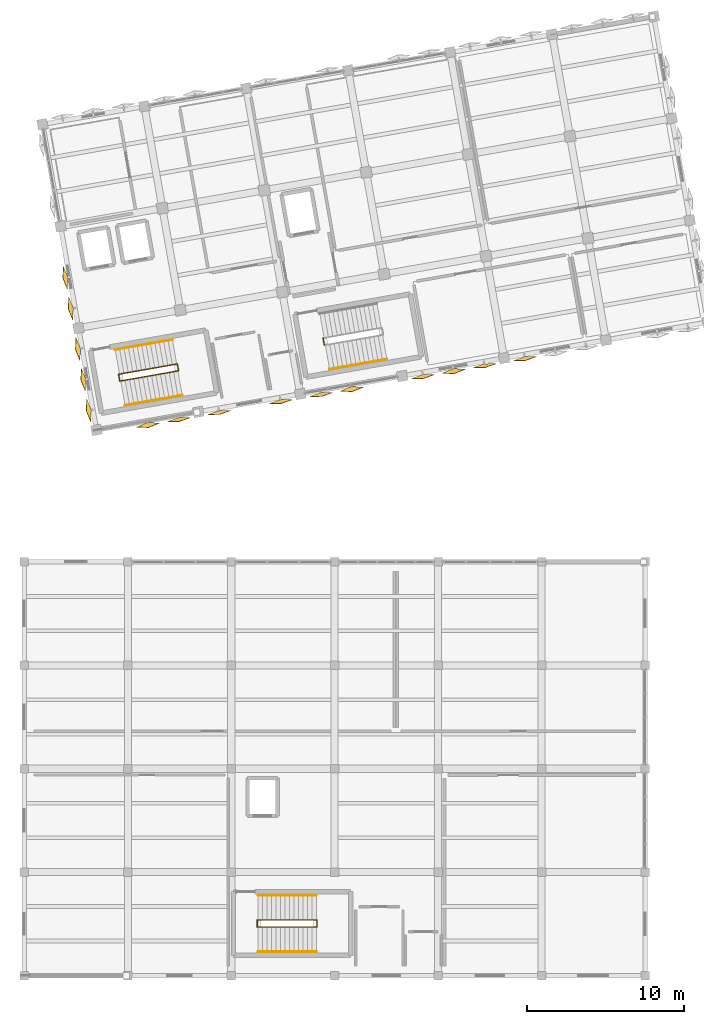
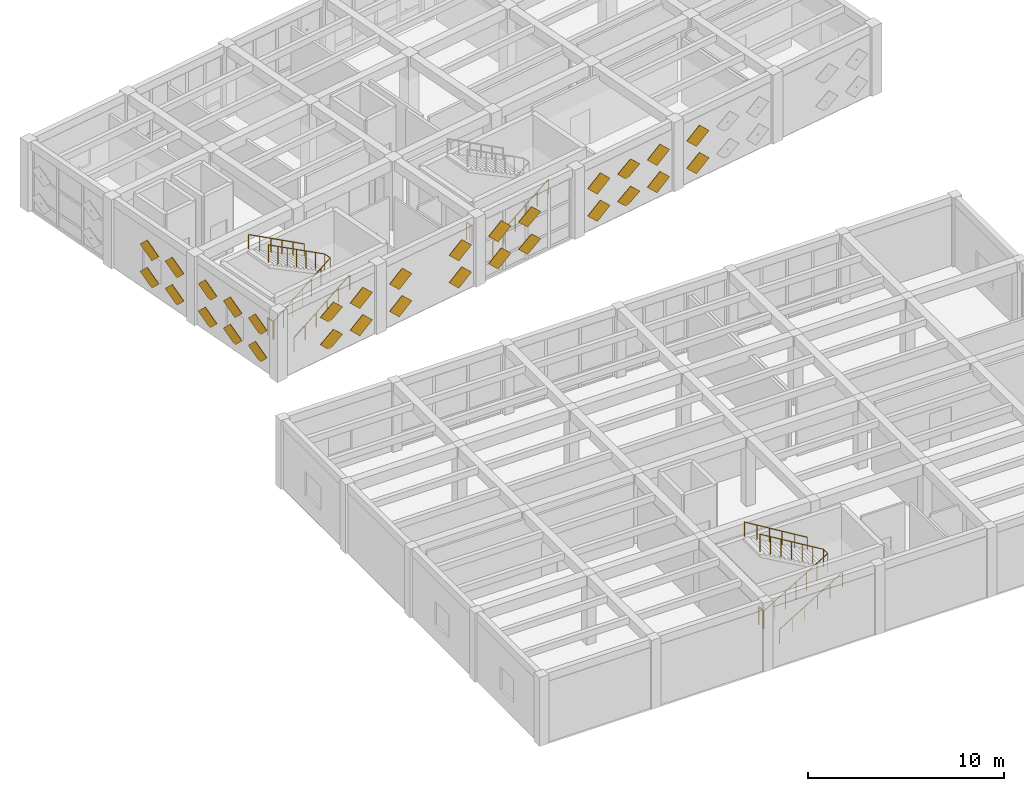
# One storey, part 45 of 48: 30 coverings, 10 railings.
"""IFC4 building model written with IfcOpenShell, lengths in metres."""

from ifc_helpers import new_model, si_unit, direction, frame, origin, origin_2d, place, context, subcontext, project, spatial, polyline, circle, outline, extrude, material, type_object, element, save


model = new_model("IFC4")

# Units and contexts
model_context = context("Model", 3, precision=1e-05, world=origin(), true_north=direction((0.0, 1.0)))
body_context = subcontext(model_context, "Body", "Model", "MODEL_VIEW")
ifc_project = project(units=[si_unit("LENGTHUNIT", "METRE"), si_unit("AREAUNIT", "SQUARE_METRE"), si_unit("VOLUMEUNIT", "CUBIC_METRE"), si_unit("PLANEANGLEUNIT", "RADIAN"), si_unit("MASSUNIT", "GRAM", prefix="KILO")], contexts=[model_context])

# Site, building, storey
site_placement = place(None, origin())
site = spatial("IfcSite", under=ifc_project, at=site_placement, CompositionType="ELEMENT")
building_placement = place(site_placement, origin())
building = spatial("IfcBuilding", under=site, at=building_placement, Name="Kharisveld Research Institute", CompositionType="ELEMENT")
storey_placement = place(building_placement, frame((0.0, 0.0, 14.10009765625)))
storey = spatial("IfcBuildingStorey", under=building, at=storey_placement, Name="L03", CompositionType="ELEMENT", Elevation=14.10009765625)

# Railings
ifc_material_1 = material(Name="Steel S355JR", Category="steel")
railing_type_1 = type_object("IfcRailingType", Name="RL_GRD_STR", PredefinedType="GUARDRAIL", material=ifc_material_1)
railing_1_placement = place(storey_placement, frame((6.75048828125, 38.13671875, 0.0)))
element("IfcRailing", 1, at=railing_1_placement, inside=storey, type_object=railing_type_1, Name="RLG:ST1:L03:GRD_SLOT", PredefinedType="GUARDRAIL", context=body_context, shape_type="SweptSolid", body=[
    extrude(circle(Radius=0.02392578125, at=origin_2d()), frame((0.0, 0.0, 1.09619140625), z_axis=(0.84417332575, 0.148863291176, 0.514986520826), x_axis=(-0.173662611611, 0.984805207809, 0.0)), (0.0, 0.0, 1.0), 4.369140625),
    extrude(circle(Radius=0.02392578125, at=origin_2d()), frame((3.688232421875, 0.650390625, 3.34619140625), z_axis=(-0.173658729201, 0.984805892434, 0.0), x_axis=(-0.984805892434, -0.173658729201, 0.0)), (0.0, 0.0, 1.0), 0.43994140625),
    extrude(circle(Radius=0.02392578125, at=origin_2d()), frame((3.61181640625, 1.083740234375, 3.34619140625), z_axis=(-0.844157266411, -0.148870313632, 0.515010814726), x_axis=(0.173673761132, -0.984803241614, 0.0)), (0.0, 0.0, 1.0), 4.368896484375),
    extrude(circle(Radius=0.02099609375, at=origin_2d()), origin(), (0.0, 0.0, 1.0), 1.072021484375),
    extrude(circle(Radius=0.02099609375, at=origin_2d()), frame((0.61474609375, 0.1083984375, 0.375)), (0.0, 0.0, 1.0), 1.072021484375),
    extrude(circle(Radius=0.02099609375, at=origin_2d()), frame((1.2294921875, 0.216796875, 0.75)), (0.0, 0.0, 1.0), 1.072021484375),
    extrude(circle(Radius=0.02099609375, at=origin_2d()), frame((1.84423828125, 0.3251953125, 1.125)), (0.0, 0.0, 1.0), 1.072021484375),
    extrude(circle(Radius=0.02099609375, at=origin_2d()), frame((2.458740234375, 0.43359375, 1.5)), (0.0, 0.0, 1.0), 1.072021484375),
    extrude(circle(Radius=0.02099609375, at=origin_2d()), frame((3.073486328125, 0.5419921875, 1.875)), (0.0, 0.0, 1.0), 1.072021484375),
    extrude(circle(Radius=0.02099609375, at=origin_2d()), frame((3.688232421875, 0.650390625, 2.25)), (0.0, 0.0, 1.0), 1.072021484375),
    extrude(circle(Radius=0.02099609375, at=origin_2d()), frame((3.61181640625, 1.083740234375, 2.25)), (0.0, 0.0, 1.0), 1.072021484375),
    extrude(circle(Radius=0.02099609375, at=origin_2d()), frame((2.9970703125, 0.975341796875, 2.625)), (0.0, 0.0, 1.0), 1.072021484375),
    extrude(circle(Radius=0.02099609375, at=origin_2d()), frame((2.382568359375, 0.866943359375, 3.0)), (0.0, 0.0, 1.0), 1.072021484375),
    extrude(circle(Radius=0.02099609375, at=origin_2d()), frame((1.767822265625, 0.758544921875, 3.375)), (0.0, 0.0, 1.0), 1.072021484375),
    extrude(circle(Radius=0.02099609375, at=origin_2d()), frame((1.153076171875, 0.650146484375, 3.75)), (0.0, 0.0, 1.0), 1.072021484375),
    extrude(circle(Radius=0.02099609375, at=origin_2d()), frame((0.53857421875, 0.541748046875, 4.125)), (0.0, 0.0, 1.0), 1.072021484375),
    extrude(circle(Radius=0.02099609375, at=origin_2d()), frame((-0.076171875, 0.433349609375, 4.5)), (0.0, 0.0, 1.0), 1.072021484375),
])
railing_2_placement = place(storey_placement, frame((6.69140625, 38.12646484375, 0.0)))
element("IfcRailing", 2, at=railing_2_placement, inside=storey, type_object=railing_type_1, Name="RLG:ST1:L03:GRD_FLRSLOT", PredefinedType="GUARDRAIL", context=body_context, shape_type="SweptSolid", body=[
    extrude(circle(Radius=0.02392578125, at=origin_2d()), frame((0.0, 0.0, 1.09619140625), z_axis=(-0.173753665698, 0.984789146801, 0.0), x_axis=(-0.984789146801, -0.173753665698, 0.0)), (0.0, 0.0, 1.0), 0.439697265625),
    extrude(circle(Radius=0.02099609375, at=origin_2d()), origin(), (0.0, 0.0, 1.0), 1.072021484375),
    extrude(circle(Radius=0.02099609375, at=origin_2d()), frame((-0.076416015625, 0.43310546875, 0.0)), (0.0, 0.0, 1.0), 1.072021484375),
])
railing_3_placement = place(storey_placement, frame((19.740234375, 40.42724609375, 0.0)))
element("IfcRailing", 3, at=railing_3_placement, inside=storey, type_object=railing_type_1, Name="RLG:ST2:L03:GRD_FLRSLOT", PredefinedType="GUARDRAIL", context=body_context, shape_type="SweptSolid", body=[
    extrude(circle(Radius=0.02392578125, at=origin_2d()), frame((0.0, 0.0, 1.09619140625), z_axis=(-0.173658729201, 0.984805892434, 0.0), x_axis=(-0.984805892434, -0.173658729201, 0.0)), (0.0, 0.0, 1.0), 0.43994140625),
    extrude(circle(Radius=0.02099609375, at=origin_2d()), origin(), (0.0, 0.0, 1.0), 1.072021484375),
    extrude(circle(Radius=0.02099609375, at=origin_2d()), frame((-0.0380859375, 0.216796875, 0.0)), (0.0, 0.0, 1.0), 1.072021484375),
    extrude(circle(Radius=0.02099609375, at=origin_2d()), frame((-0.076416015625, 0.433349609375, 0.0)), (0.0, 0.0, 1.0), 1.072021484375),
])
railing_4_placement = place(storey_placement, frame((15.52001953125, 3.31005859375, 0.0)))
element("IfcRailing", 4, at=railing_4_placement, inside=storey, type_object=railing_type_1, Name="RLG:ST4:L03:GRD_SLOT", PredefinedType="GUARDRAIL", context=body_context, shape_type="SweptSolid", body=[
    extrude(circle(Radius=0.02392578125, at=origin_2d()), frame((0.0, 0.0, 1.09619140625), z_axis=(0.857182128291, 0.0, 0.515013396853), x_axis=(0.0, 1.0, 0.0)), (0.0, 0.0, 1.0), 4.368896484375),
    extrude(circle(Radius=0.02392578125, at=origin_2d()), frame((3.744873046875, 0.0, 3.34619140625), z_axis=(0.0, 1.0, 0.0), x_axis=(-1.0, 0.0, 0.0)), (0.0, 0.0, 1.0), 0.43994140625),
    extrude(circle(Radius=0.02392578125, at=origin_2d()), frame((3.744873046875, 0.43994140625, 3.34619140625), z_axis=(-0.857182128291, 0.0, 0.515013396853), x_axis=(0.0, -1.0, 0.0)), (0.0, 0.0, 1.0), 4.368896484375),
    extrude(circle(Radius=0.02099609375, at=origin_2d()), origin(), (0.0, 0.0, 1.0), 1.072021484375),
    extrude(circle(Radius=0.02099609375, at=origin_2d()), frame((0.6240234375, 0.0, 0.375)), (0.0, 0.0, 1.0), 1.072021484375),
    extrude(circle(Radius=0.02099609375, at=origin_2d()), frame((1.248291015625, 0.0, 0.75)), (0.0, 0.0, 1.0), 1.072021484375),
    extrude(circle(Radius=0.02099609375, at=origin_2d()), frame((1.87255859375, 0.0, 1.125)), (0.0, 0.0, 1.0), 1.072021484375),
    extrude(circle(Radius=0.02099609375, at=origin_2d()), frame((2.49658203125, 0.0, 1.5)), (0.0, 0.0, 1.0), 1.072021484375),
    extrude(circle(Radius=0.02099609375, at=origin_2d()), frame((3.12060546875, 0.0, 1.875)), (0.0, 0.0, 1.0), 1.072021484375),
    extrude(circle(Radius=0.02099609375, at=origin_2d()), frame((3.744873046875, 0.0, 2.25)), (0.0, 0.0, 1.0), 1.072021484375),
    extrude(circle(Radius=0.02099609375, at=origin_2d()), frame((3.744873046875, 0.43994140625, 2.25)), (0.0, 0.0, 1.0), 1.072021484375),
    extrude(circle(Radius=0.02099609375, at=origin_2d()), frame((3.12060546875, 0.43994140625, 2.625)), (0.0, 0.0, 1.0), 1.072021484375),
    extrude(circle(Radius=0.02099609375, at=origin_2d()), frame((2.49658203125, 0.43994140625, 3.0)), (0.0, 0.0, 1.0), 1.072021484375),
    extrude(circle(Radius=0.02099609375, at=origin_2d()), frame((1.87255859375, 0.43994140625, 3.375)), (0.0, 0.0, 1.0), 1.072021484375),
    extrude(circle(Radius=0.02099609375, at=origin_2d()), frame((1.248291015625, 0.43994140625, 3.75)), (0.0, 0.0, 1.0), 1.072021484375),
    extrude(circle(Radius=0.02099609375, at=origin_2d()), frame((0.6240234375, 0.43994140625, 4.125)), (0.0, 0.0, 1.0), 1.072021484375),
    extrude(circle(Radius=0.02099609375, at=origin_2d()), frame((0.0, 0.43994140625, 4.5)), (0.0, 0.0, 1.0), 1.072021484375),
])
railing_5_placement = place(storey_placement, frame((15.4599609375, 3.31005859375, 0.0)))
element("IfcRailing", 5, at=railing_5_placement, inside=storey, type_object=railing_type_1, Name="RLG:ST4:L03:GRD_FLRSLOT", PredefinedType="GUARDRAIL", context=body_context, shape_type="SweptSolid", body=[
    extrude(circle(Radius=0.02392578125, at=origin_2d()), frame((0.0, 0.0, 1.09619140625), z_axis=(0.0, 1.0, 0.0), x_axis=(-1.0, 0.0, 0.0)), (0.0, 0.0, 1.0), 0.43994140625),
    extrude(circle(Radius=0.02099609375, at=origin_2d()), origin(), (0.0, 0.0, 1.0), 1.072021484375),
    extrude(circle(Radius=0.02099609375, at=origin_2d()), frame((0.0, 0.43994140625, 0.0)), (0.0, 0.0, 1.0), 1.072021484375),
])
ifc_material_2 = material(Name="Stainless Steel 316", Category="steel")
railing_type_2 = type_object("IfcRailingType", Name="RL_HND_STR", PredefinedType="HANDRAIL", material=ifc_material_2)
railing_6_placement = place(storey_placement, frame((7.02490234375, 36.580810546875, 0.0)))
element("IfcRailing", 6, at=railing_6_placement, inside=storey, type_object=railing_type_2, Name="RLG:ST1:L03:HR1", PredefinedType="HANDRAIL", context=body_context, shape_type="SweptSolid", body=[
    extrude(circle(Radius=0.02392578125, at=origin_2d()), frame((0.0, 0.0, 0.89599609375), z_axis=(0.841746897377, 0.148411045473, 0.519072559801), x_axis=(-0.173634966033, 0.984810082488, 0.0)), (0.0, 0.0, 1.0), 4.334716796875),
    extrude(circle(Radius=0.02099609375, at=origin_2d()), origin(), (0.0, 0.0, 1.0), 0.871826171875),
    extrude(circle(Radius=0.02099609375, at=origin_2d()), frame((0.729736328125, 0.128662109375, 0.449951171875)), (0.0, 0.0, 1.0), 0.871826171875),
    extrude(circle(Radius=0.02099609375, at=origin_2d()), frame((1.45947265625, 0.25732421875, 0.89990234375)), (0.0, 0.0, 1.0), 0.871826171875),
    extrude(circle(Radius=0.02099609375, at=origin_2d()), frame((2.189208984375, 0.385986328125, 1.35009765625)), (0.0, 0.0, 1.0), 0.871826171875),
    extrude(circle(Radius=0.02099609375, at=origin_2d()), frame((2.9189453125, 0.5146484375, 1.800048828125)), (0.0, 0.0, 1.0), 0.871826171875),
    extrude(circle(Radius=0.02099609375, at=origin_2d()), frame((3.648681640625, 0.643310546875, 2.25)), (0.0, 0.0, 1.0), 0.871826171875),
])
railing_7_placement = place(storey_placement, frame((10.048583984375, 40.76953125, 2.25)))
element("IfcRailing", 7, at=railing_7_placement, inside=storey, type_object=railing_type_2, Name="RLG:ST1:L03:HR2", PredefinedType="HANDRAIL", context=body_context, shape_type="SweptSolid", body=[
    extrude(circle(Radius=0.02392578125, at=origin_2d()), frame((0.0, 0.0, 0.89599609375), z_axis=(-0.841739860008, -0.148466127198, 0.519068220129), x_axis=(0.173698873865, -0.984798812559, 0.0)), (0.0, 0.0, 1.0), 4.334716796875),
    extrude(circle(Radius=0.02099609375, at=origin_2d()), origin(), (0.0, 0.0, 1.0), 0.871826171875),
    extrude(circle(Radius=0.02099609375, at=origin_2d()), frame((-0.729736328125, -0.128662109375, 0.449951171875)), (0.0, 0.0, 1.0), 0.871826171875),
    extrude(circle(Radius=0.02099609375, at=origin_2d()), frame((-1.45947265625, -0.25732421875, 0.89990234375)), (0.0, 0.0, 1.0), 0.871826171875),
    extrude(circle(Radius=0.02099609375, at=origin_2d()), frame((-2.189208984375, -0.38623046875, 1.35009765625)), (0.0, 0.0, 1.0), 0.871826171875),
    extrude(circle(Radius=0.02099609375, at=origin_2d()), frame((-2.9189453125, -0.514892578125, 1.800048828125)), (0.0, 0.0, 1.0), 0.871826171875),
    extrude(circle(Radius=0.02099609375, at=origin_2d()), frame((-3.648681640625, -0.6435546875, 2.25)), (0.0, 0.0, 1.0), 0.871826171875),
])
railing_8_placement = place(storey_placement, frame((20.07373046875, 38.881591796875, 0.0)))
element("IfcRailing", 8, at=railing_8_placement, inside=storey, type_object=railing_type_2, Name="RLG:ST2:L03:HR1", PredefinedType="HANDRAIL", context=body_context, shape_type="SweptSolid", body=[
    extrude(circle(Radius=0.02392578125, at=origin_2d()), frame((0.0, 0.0, 0.89599609375), z_axis=(0.841746897377, 0.148411045473, 0.519072559801), x_axis=(-0.173634966033, 0.984810082488, 0.0)), (0.0, 0.0, 1.0), 4.334716796875),
    extrude(circle(Radius=0.02099609375, at=origin_2d()), origin(), (0.0, 0.0, 1.0), 0.871826171875),
    extrude(circle(Radius=0.02099609375, at=origin_2d()), frame((0.729736328125, 0.128662109375, 0.449951171875)), (0.0, 0.0, 1.0), 0.871826171875),
    extrude(circle(Radius=0.02099609375, at=origin_2d()), frame((1.45947265625, 0.25732421875, 0.89990234375)), (0.0, 0.0, 1.0), 0.871826171875),
    extrude(circle(Radius=0.02099609375, at=origin_2d()), frame((2.189208984375, 0.385986328125, 1.35009765625)), (0.0, 0.0, 1.0), 0.871826171875),
    extrude(circle(Radius=0.02099609375, at=origin_2d()), frame((2.9189453125, 0.5146484375, 1.800048828125)), (0.0, 0.0, 1.0), 0.871826171875),
    extrude(circle(Radius=0.02099609375, at=origin_2d()), frame((3.648681640625, 0.643310546875, 2.25)), (0.0, 0.0, 1.0), 0.871826171875),
])
railing_9_placement = place(storey_placement, frame((15.52001953125, 1.72998046875, 0.0)))
element("IfcRailing", 9, at=railing_9_placement, inside=storey, type_object=railing_type_2, Name="RLG:ST4:L03:HR1", PredefinedType="HANDRAIL", context=body_context, shape_type="SweptSolid", body=[
    extrude(circle(Radius=0.02392578125, at=origin_2d()), frame((0.0, 0.0, 0.89599609375), z_axis=(0.854737540875, 0.0, 0.519060435998), x_axis=(0.0, 1.0, 0.0)), (0.0, 0.0, 1.0), 4.334716796875),
    extrude(circle(Radius=0.02099609375, at=origin_2d()), origin(), (0.0, 0.0, 1.0), 0.871826171875),
    extrude(circle(Radius=0.02099609375, at=origin_2d()), frame((0.740966796875, 0.0, 0.449951171875)), (0.0, 0.0, 1.0), 0.871826171875),
    extrude(circle(Radius=0.02099609375, at=origin_2d()), frame((1.48193359375, 0.0, 0.89990234375)), (0.0, 0.0, 1.0), 0.871826171875),
    extrude(circle(Radius=0.02099609375, at=origin_2d()), frame((2.22314453125, 0.0, 1.35009765625)), (0.0, 0.0, 1.0), 0.871826171875),
    extrude(circle(Radius=0.02099609375, at=origin_2d()), frame((2.964111328125, 0.0, 1.800048828125)), (0.0, 0.0, 1.0), 0.871826171875),
    extrude(circle(Radius=0.02099609375, at=origin_2d()), frame((3.705078125, 0.0, 2.25)), (0.0, 0.0, 1.0), 0.871826171875),
])
railing_10_placement = place(storey_placement, frame((19.22509765625, 5.330078125, 2.25)))
element("IfcRailing", 10, at=railing_10_placement, inside=storey, type_object=railing_type_2, Name="RLG:ST4:L03:HR2", PredefinedType="HANDRAIL", context=body_context, shape_type="SweptSolid", body=[
    extrude(circle(Radius=0.02392578125, at=origin_2d()), frame((0.0, 0.0, 0.89599609375), z_axis=(-0.854737540875, 0.0, 0.519060435998), x_axis=(0.0, -1.0, 0.0)), (0.0, 0.0, 1.0), 4.334716796875),
    extrude(circle(Radius=0.02099609375, at=origin_2d()), origin(), (0.0, 0.0, 1.0), 0.871826171875),
    extrude(circle(Radius=0.02099609375, at=origin_2d()), frame((-0.740966796875, 0.0, 0.449951171875)), (0.0, 0.0, 1.0), 0.871826171875),
    extrude(circle(Radius=0.02099609375, at=origin_2d()), frame((-1.48193359375, 0.0, 0.89990234375)), (0.0, 0.0, 1.0), 0.871826171875),
    extrude(circle(Radius=0.02099609375, at=origin_2d()), frame((-2.22314453125, 0.0, 1.35009765625)), (0.0, 0.0, 1.0), 0.871826171875),
    extrude(circle(Radius=0.02099609375, at=origin_2d()), frame((-2.964111328125, 0.0, 1.800048828125)), (0.0, 0.0, 1.0), 0.871826171875),
    extrude(circle(Radius=0.02099609375, at=origin_2d()), frame((-3.705078125, 0.0, 2.25)), (0.0, 0.0, 1.0), 0.871826171875),
])

# Coverings
ifc_material_3 = material(Name="White Powder-Coated Perforated Aluminium", Category="aluminium")
covering_type = type_object("IfcCoveringType", Name="CV_DIA_105", PredefinedType="CLADDING")
for number, where, z_axis, x_axis, name in (
    (11, (4.874267578125, 36.2861328125, 0.324951171875), (0.961447488939, 0.169497253476, 0.216539620108), (-0.273555095257, 0.669826337005, 0.690290002907), "SHD:V1:L03:W0:S0C0"),
    (12, (4.874267578125, 36.2861328125, 2.025146484375), (0.961447488939, 0.169497253476, 0.216539620108), (-0.273555095257, 0.669826337005, 0.690290002907), "SHD:V1:L03:W0:S0C1"),
):
    element("IfcCovering", number, at=place(storey_placement, frame(where, z_axis=z_axis, x_axis=x_axis)), inside=storey, type_object=covering_type, material=ifc_material_3, Name=name, PredefinedType="CLADDING", context=body_context, shape_type="SweptSolid", body=[
        extrude(outline(polyline([(0.0, 0.0), (1.0501013287743868, 0.0), (1.0498908116789152, 1.0501299715118642), (1.9800637014233402e-05, 1.0499603251677767), (0.0, 0.0)])), origin(), (0.0, 0.0, -1.0), 0.02392578125),
    ])
for number, where, z_axis, x_axis, name in (
    (13, (4.529052734375, 38.24267578125, 0.324951171875), (0.961476347302, 0.169530643305, 0.21638529192), (-0.273471090272, 0.669725119033, 0.690421485559), "SHD:V1:L03:W0:S1C0"),
    (14, (4.529052734375, 38.24267578125, 2.025146484375), (0.961476347302, 0.169530643305, 0.21638529192), (-0.273471090272, 0.669725119033, 0.690421485559), "SHD:V1:L03:W0:S1C1"),
):
    element("IfcCovering", number, at=place(storey_placement, frame(where, z_axis=z_axis, x_axis=x_axis)), inside=storey, type_object=covering_type, material=ifc_material_3, Name=name, PredefinedType="CLADDING", context=body_context, shape_type="SweptSolid", body=[
        extrude(outline(polyline([(0.0, 0.0), (1.0498710291992122, 0.0), (1.0499937163043682, 1.0499534820137317), (0.00012268710515594972, 1.049953482013732), (0.0, 0.0)])), origin(), (0.0, 0.0, -1.0), 0.02392578125),
    ])
for number, where, z_axis, x_axis, name in (
    (15, (4.18408203125, 40.19921875, 0.324951171875), (0.961481187298, 0.169503194288, 0.216385289699), (-0.273452141042, 0.669728459805, 0.690425750307), "SHD:V1:L03:W0:S2C0"),
    (16, (4.18408203125, 40.19921875, 2.025146484375), (0.961481187298, 0.169503194288, 0.216385289699), (-0.273452141042, 0.669728459805, 0.690425750307), "SHD:V1:L03:W0:S2C1"),
):
    element("IfcCovering", number, at=place(storey_placement, frame(where, z_axis=z_axis, x_axis=x_axis)), inside=storey, type_object=covering_type, material=ifc_material_3, Name=name, PredefinedType="CLADDING", context=body_context, shape_type="SweptSolid", body=[
        extrude(outline(polyline([(0.0, 0.0), (1.0498710289953155, -1.1102230246251565e-16), (1.0499937165082887, 1.0499534818098035), (-4.082041178410378e-05, 1.0501299960653954), (0.0, 0.0)])), origin(), (0.0, 0.0, -1.0), 0.02392578125),
    ])
for number, where, z_axis, x_axis, name in (
    (17, (3.72802734375, 42.785888671875, 0.324951171875), (0.961481187298, 0.169503194288, 0.216385289699), (-0.273447448775, 0.669849989418, 0.690309701826), "SHD:V1:L03:W1:S0C0"),
    (18, (3.72802734375, 42.785888671875, 2.025146484375), (0.961481187298, 0.169503194288, 0.216385289699), (-0.273447448775, 0.669849989418, 0.690309701826), "SHD:V1:L03:W1:S0C1"),
):
    element("IfcCovering", number, at=place(storey_placement, frame(where, z_axis=z_axis, x_axis=x_axis)), inside=storey, type_object=covering_type, material=ifc_material_3, Name=name, PredefinedType="CLADDING", context=body_context, shape_type="SweptSolid", body=[
        extrude(outline(polyline([(0.0, 0.0), (1.0500345517563856, -1.1102230246251565e-16), (1.0498172010450848, 1.0501299743656882), (-5.381311622809637e-05, 1.0499534875988095), (0.0, 0.0)])), origin(), (0.0, 0.0, -1.0), 0.02392578125),
    ])
for number, where, z_axis, x_axis, name in (
    (19, (3.383056640625, 44.742431640625, 0.324951171875), (0.961481187298, 0.169503194288, 0.216385289699), (-0.273452141042, 0.669728459805, 0.690425750307), "SHD:V1:L03:W1:S1C0"),
    (20, (3.383056640625, 44.742431640625, 2.025146484375), (0.961481187298, 0.169503194288, 0.216385289699), (-0.273452141042, 0.669728459805, 0.690425750307), "SHD:V1:L03:W1:S1C1"),
):
    element("IfcCovering", number, at=place(storey_placement, frame(where, z_axis=z_axis, x_axis=x_axis)), inside=storey, type_object=covering_type, material=ifc_material_3, Name=name, PredefinedType="CLADDING", context=body_context, shape_type="SweptSolid", body=[
        extrude(outline(polyline([(0.0, 0.0), (1.0498710289953155, -1.1102230246251565e-16), (1.0499937165082887, 1.0499534818098035), (-4.082041178410378e-05, 1.0501299960653954), (0.0, 0.0)])), origin(), (0.0, 0.0, -1.0), 0.02392578125),
    ])
covering_1_placement = place(storey_placement, frame((32.51611328125, 39.68701171875, 0.317626953125), z_axis=(-0.171233254714, 0.971294692931, 0.165123565742), x_axis=(-0.676169128139, -0.237752993267, 0.697329781628)))
element("IfcCovering", 21, at=covering_1_placement, inside=storey, type_object=covering_type, material=ifc_material_3, Name="SHD:V1:L03:S5:S2C0", PredefinedType="CLADDING", context=body_context, shape_type="SweptSolid", body=[
    extrude(outline(polyline([(0.0, 0.0), (1.0499451657341914, 1.1102230246251565e-16), (1.0498265314699664, 1.0502581666436772), (-0.00018184560376499626, 1.049914834746207), (0.0, 0.0)])), origin(), (0.0, 0.0, -1.0), 0.02392578125),
])
covering_2_placement = place(storey_placement, frame((32.51611328125, 39.68701171875, 2.017578125), z_axis=(-0.171233254714, 0.971294692931, 0.165123565742), x_axis=(-0.676052923988, -0.237751732699, 0.697442870468)))
element("IfcCovering", 22, at=covering_2_placement, inside=storey, type_object=covering_type, material=ifc_material_3, Name="SHD:V1:L03:S5:S2C1", PredefinedType="CLADDING", context=body_context, shape_type="SweptSolid", body=[
    extrude(outline(polyline([(0.0, 0.0), (1.0501154260688186, -1.1102230246251565e-16), (1.0499968217476066, 1.050087918747723), (0.000158676943865399, 1.050085103755264), (0.0, 0.0)])), origin(), (0.0, 0.0, -1.0), 0.02392578125),
])
covering_3_placement = place(storey_placement, frame((29.929443359375, 39.23095703125, 0.317626953125), z_axis=(-0.171234061711, 0.9712992705, 0.165095800177), x_axis=(-0.676173830196, -0.2377336742, 0.697331808761)))
element("IfcCovering", 23, at=covering_3_placement, inside=storey, type_object=covering_type, material=ifc_material_3, Name="SHD:V1:L03:S4:S0C0", PredefinedType="CLADDING", context=body_context, shape_type="SweptSolid", body=[
    extrude(outline(polyline([(0.0, 0.0), (1.0500032083471293, -1.1102230246251565e-16), (1.0499897163291267, 1.0500851186270816), (-0.00012569859382338677, 1.049912938756706), (0.0, 0.0)])), origin(), (0.0, 0.0, -1.0), 0.02392578125),
])
covering_4_placement = place(storey_placement, frame((29.929443359375, 39.23095703125, 2.017578125), z_axis=(-0.171234061711, 0.9712992705, 0.165095800177), x_axis=(-0.676057632461, -0.237732410628, 0.697444892825)))
element("IfcCovering", 24, at=covering_4_placement, inside=storey, type_object=covering_type, material=ifc_material_3, Name="SHD:V1:L03:S4:S0C1", PredefinedType="CLADDING", context=body_context, shape_type="SweptSolid", body=[
    extrude(outline(polyline([(0.0, 0.0), (1.050173469176079, 1.1102230246251565e-16), (1.0501599702440891, 1.049914852574201), (0.0002148158393612265, 1.050083199772804), (0.0, 0.0)])), origin(), (0.0, 0.0, -1.0), 0.02392578125),
])
for number, where, z_axis, x_axis, name in (
    (25, (27.96630859375, 38.923583984375, 0.324951171875), (-0.169497253476, 0.961447488939, 0.216539620108), (-0.669826337005, -0.273555095257, 0.690290002907), "SHD:V1:L03:S4:S1C0"),
    (26, (27.96630859375, 38.923583984375, 2.025146484375), (-0.169497253476, 0.961447488939, 0.216539620108), (-0.669826337005, -0.273555095257, 0.690290002907), "SHD:V1:L03:S4:S1C1"),
):
    element("IfcCovering", number, at=place(storey_placement, frame(where, z_axis=z_axis, x_axis=x_axis)), inside=storey, type_object=covering_type, material=ifc_material_3, Name=name, PredefinedType="CLADDING", context=body_context, shape_type="SweptSolid", body=[
        extrude(outline(polyline([(0.0, 0.0), (1.0501013287743868, 0.0), (1.0498908116789152, 1.0501299715118642), (1.9800637014233402e-05, 1.0499603251677767), (0.0, 0.0)])), origin(), (0.0, 0.0, -1.0), 0.02392578125),
    ])
covering_5_placement = place(storey_placement, frame((26.016357421875, 38.541015625, 0.317626953125), z_axis=(-0.171260983897, 0.971289803558, 0.165123568578), x_axis=(-0.676047594671, -0.237771051008, 0.69744145062)))
element("IfcCovering", 27, at=covering_5_placement, inside=storey, type_object=covering_type, material=ifc_material_3, Name="SHD:V1:L03:S4:S2C0", PredefinedType="CLADDING", context=body_context, shape_type="SweptSolid", body=[
    extrude(outline(polyline([(0.0, 0.0), (1.0498381477776833, -1.1102230246251565e-16), (1.0499996344353992, 1.0500851062964023), (4.926243906100414e-05, 1.0499129451252003), (0.0, 0.0)])), origin(), (0.0, 0.0, -1.0), 0.02392578125),
])
covering_6_placement = place(storey_placement, frame((26.016357421875, 38.541015625, 2.017578125), z_axis=(-0.171260983897, 0.971289803558, 0.165123568578), x_axis=(-0.67593137977, -0.237769781024, 0.697554514769)))
element("IfcCovering", 28, at=covering_6_placement, inside=storey, type_object=covering_type, material=ifc_material_3, Name="SHD:V1:L03:S4:S2C1", PredefinedType="CLADDING", context=body_context, shape_type="SweptSolid", body=[
    extrude(outline(polyline([(0.0, 0.0), (1.0500084353722339, -1.1102230246251565e-16), (1.0501698867361986, 1.0499148402477598), (0.00038980202211746917, 1.050083149396377), (0.0, 0.0)])), origin(), (0.0, 0.0, -1.0), 0.02392578125),
])
for number, where, z_axis, x_axis, name in (
    (29, (21.466552734375, 37.77734375, 0.324951171875), (-0.169503194288, 0.961481187298, 0.216385289699), (-0.669849989418, -0.273447448775, 0.690309701826), "SHD:V1:L03:S3:S1C0"),
    (30, (21.466552734375, 37.77734375, 2.025146484375), (-0.169503194288, 0.961481187298, 0.216385289699), (-0.669849989418, -0.273447448775, 0.690309701826), "SHD:V1:L03:S3:S1C1"),
):
    element("IfcCovering", number, at=place(storey_placement, frame(where, z_axis=z_axis, x_axis=x_axis)), inside=storey, type_object=covering_type, material=ifc_material_3, Name=name, PredefinedType="CLADDING", context=body_context, shape_type="SweptSolid", body=[
        extrude(outline(polyline([(0.0, 0.0), (1.0500345517563856, -1.1102230246251565e-16), (1.0498172010450848, 1.0501299743656882), (-5.381311622809637e-05, 1.0499534875988095), (0.0, 0.0)])), origin(), (0.0, 0.0, -1.0), 0.02392578125),
    ])
covering_7_placement = place(storey_placement, frame((19.5166015625, 37.394775390625, 0.317626953125), z_axis=(-0.171237830585, 0.971320648866, 0.164966064583), x_axis=(-0.67606903884, -0.237642011667, 0.697464643558)))
element("IfcCovering", 31, at=covering_7_placement, inside=storey, type_object=covering_type, material=ifc_material_3, Name="SHD:V1:L03:S3:S2C0", PredefinedType="CLADDING", context=body_context, shape_type="SweptSolid", body=[
    extrude(outline(polyline([(0.0, 0.0), (1.0497801020167383, -1.1102230246251565e-16), (1.0499435113361357, 1.0500851143599854), (-0.0001719260522816679, 1.0500898242129075), (0.0, 0.0)])), origin(), (0.0, 0.0, -1.0), 0.02392578125),
])
covering_8_placement = place(storey_placement, frame((19.5166015625, 37.394775390625, 2.017578125), z_axis=(-0.171237830585, 0.971320648866, 0.164966064583), x_axis=(-0.67595281755, -0.23764072687, 0.697577718522)))
element("IfcCovering", 32, at=covering_8_placement, inside=storey, type_object=covering_type, material=ifc_material_3, Name="SHD:V1:L03:S3:S2C1", PredefinedType="CLADDING", context=body_context, shape_type="SweptSolid", body=[
    extrude(outline(polyline([(0.0, 0.0), (1.0499503952749474, -1.1102230246251565e-16), (1.0501137764870712, 1.0499148445609001), (0.00016866072896248863, 1.0502600677810072), (0.0, 0.0)])), origin(), (0.0, 0.0, -1.0), 0.02392578125),
])
covering_9_placement = place(storey_placement, frame((16.929931640625, 36.938720703125, 0.317626953125), z_axis=(-0.171234061711, 0.9712992705, 0.165095800177), x_axis=(-0.676172534966, -0.237733660148, 0.69733306948)))
element("IfcCovering", 33, at=covering_9_placement, inside=storey, type_object=covering_type, material=ifc_material_3, Name="SHD:V1:L03:S2:S0C0", PredefinedType="CLADDING", context=body_context, shape_type="SweptSolid", body=[
    extrude(outline(polyline([(0.0, 0.0), (1.049945167901042, 2.220446049250313e-16), (1.0499916144071415, 1.0500832207180806), (-0.0001818412696886762, 1.0499148369138707), (0.0, 0.0)])), origin(), (0.0, 0.0, -1.0), 0.02392578125),
])
covering_10_placement = place(storey_placement, frame((16.929931640625, 36.938720703125, 2.017578125), z_axis=(-0.171234061711, 0.9712992705, 0.165095800177), x_axis=(-0.67605633082, -0.237732396439, 0.697446159385)))
element("IfcCovering", 34, at=covering_10_placement, inside=storey, type_object=covering_type, material=ifc_material_3, Name="SHD:V1:L03:S2:S0C1", PredefinedType="CLADDING", context=body_context, shape_type="SweptSolid", body=[
    extrude(outline(polyline([(0.0, 0.0), (1.050115429038497, -1.1102230246251565e-16), (1.0501618771158647, 1.0499129452537745), (0.00015868288277420817, 1.050085106724131), (0.0, 0.0)])), origin(), (0.0, 0.0, -1.0), 0.02392578125),
])
covering_11_placement = place(storey_placement, frame((13.01708984375, 36.248779296875, 0.317626953125), z_axis=(-0.171234061711, 0.9712992705, 0.165095800177), x_axis=(-0.676172534966, -0.237733660148, 0.69733306948)))
element("IfcCovering", 35, at=covering_11_placement, inside=storey, type_object=covering_type, material=ifc_material_3, Name="SHD:V1:L03:S2:S2C0", PredefinedType="CLADDING", context=body_context, shape_type="SweptSolid", body=[
    extrude(outline(polyline([(0.0, 0.0), (1.049945167901042, 2.220446049250313e-16), (1.0499916144071415, 1.0500832207180806), (-0.0001818412696886762, 1.0499148369138707), (0.0, 0.0)])), origin(), (0.0, 0.0, -1.0), 0.02392578125),
])
covering_12_placement = place(storey_placement, frame((13.01708984375, 36.248779296875, 2.017578125), z_axis=(-0.171234061711, 0.9712992705, 0.165095800177), x_axis=(-0.67605633082, -0.237732396439, 0.697446159385)))
element("IfcCovering", 36, at=covering_12_placement, inside=storey, type_object=covering_type, material=ifc_material_3, Name="SHD:V1:L03:S2:S2C1", PredefinedType="CLADDING", context=body_context, shape_type="SweptSolid", body=[
    extrude(outline(polyline([(0.0, 0.0), (1.050115429038497, -1.1102230246251565e-16), (1.0501618771158647, 1.0499129452537745), (0.00015868288277420817, 1.050085106724131), (0.0, 0.0)])), origin(), (0.0, 0.0, -1.0), 0.02392578125),
])
covering_13_placement = place(storey_placement, frame((10.43017578125, 35.792724609375, 0.317626953125), z_axis=(-0.171234061711, 0.9712992705, 0.165095800177), x_axis=(-0.676173830196, -0.2377336742, 0.697331808761)))
element("IfcCovering", 37, at=covering_13_placement, inside=storey, type_object=covering_type, material=ifc_material_3, Name="SHD:V1:L03:S1:S0C0", PredefinedType="CLADDING", context=body_context, shape_type="SweptSolid", body=[
    extrude(outline(polyline([(0.0, 0.0), (1.0500032083471293, -1.1102230246251565e-16), (1.0499897163291267, 1.0500851186270816), (-0.00012569859382338677, 1.049912938756706), (0.0, 0.0)])), origin(), (0.0, 0.0, -1.0), 0.02392578125),
])
covering_14_placement = place(storey_placement, frame((10.43017578125, 35.792724609375, 2.017578125), z_axis=(-0.171234061711, 0.9712992705, 0.165095800177), x_axis=(-0.676057632461, -0.237732410628, 0.697444892825)))
element("IfcCovering", 38, at=covering_14_placement, inside=storey, type_object=covering_type, material=ifc_material_3, Name="SHD:V1:L03:S1:S0C1", PredefinedType="CLADDING", context=body_context, shape_type="SweptSolid", body=[
    extrude(outline(polyline([(0.0, 0.0), (1.050173469176079, 1.1102230246251565e-16), (1.0501599702440891, 1.049914852574201), (0.0002148158393612265, 1.050083199772804), (0.0, 0.0)])), origin(), (0.0, 0.0, -1.0), 0.02392578125),
])
for number, where, z_axis, x_axis, name in (
    (39, (8.467041015625, 35.4853515625, 0.324951171875), (-0.16952470156, 0.961442649282, 0.216539621552), (-0.669701468459, -0.273578752319, 0.690401773914), "SHD:V1:L03:S1:S1C0"),
    (40, (8.467041015625, 35.4853515625, 2.025146484375), (-0.16952470156, 0.961442649282, 0.216539621552), (-0.669701468459, -0.273578752319, 0.690401773914), "SHD:V1:L03:S1:S1C1"),
):
    element("IfcCovering", number, at=place(storey_placement, frame(where, z_axis=z_axis, x_axis=x_axis)), inside=storey, type_object=covering_type, material=ifc_material_3, Name=name, PredefinedType="CLADDING", context=body_context, shape_type="SweptSolid", body=[
        extrude(outline(polyline([(0.0, 0.0), (1.0499378143046156, 0.0), (1.0500673190877523, 1.04995347463551), (0.0001962964707143966, 1.0499603048962165), (0.0, 0.0)])), origin(), (0.0, 0.0, -1.0), 0.02392578125),
    ])

save(model, "model.ifc")
